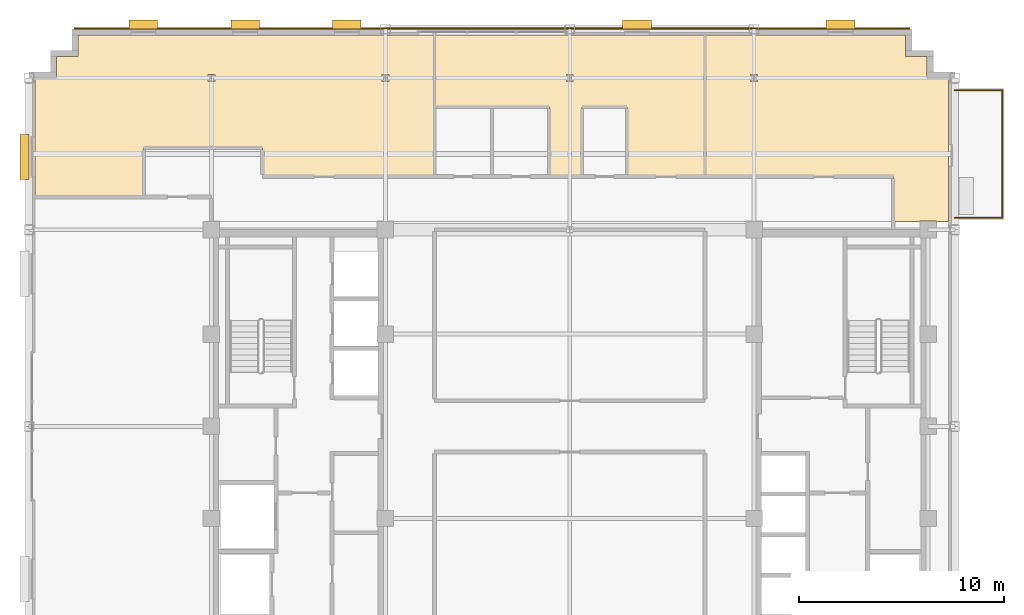
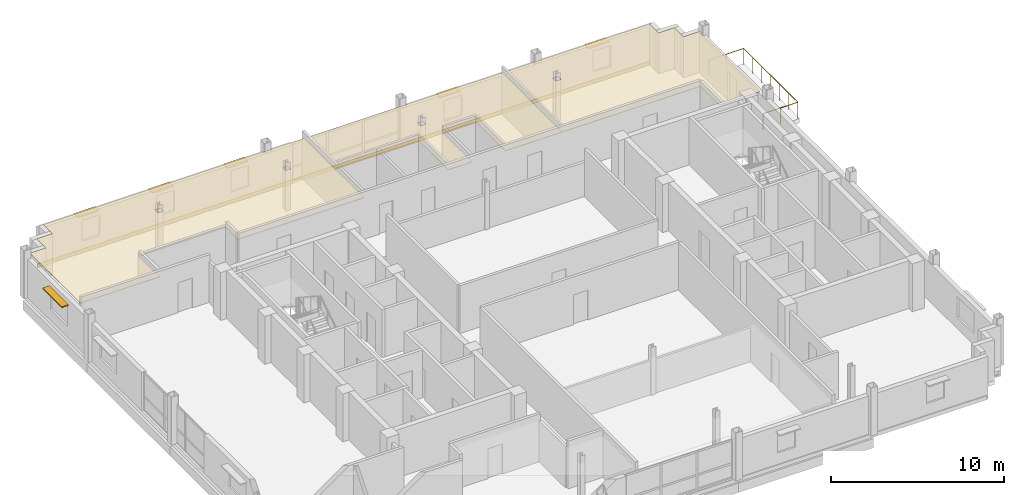
# One storey, part 16 of 16: 6 shading devices, 4 coverings, 1 railing.
"""IFC4 building model written with IfcOpenShell, lengths in metres."""

import ifcopenshell
import ifcopenshell.guid

model = None  # the IFC model being written
_history = None  # IfcOwnerHistory: only IFC2X3 demands one
_inside = {}  # id of a spatial element -> (the spatial element, [elements in it])
_under = {}  # id of a project, library or spatial element -> (it, [spatial elements below it])
_declared = {}  # id of a project -> (the project, [libraries it declares])
_typed = {}  # id of a type object -> (the type object, [elements of that type])
_made_of = {}  # id of a material, layer set ... -> (it, [elements and type objects made of it])


def new_model(schema):
    """Start an empty IFC model of exactly this schema.

    Asked for "IFC4X3", IfcOpenShell would pick the latest addendum, in which some entities
    have other attributes; the version numbers below select the first issue.
    IFC2X3 requires an IfcOwnerHistory on every rooted entity: one is made here for all.
    """
    global model, _history
    if schema == "IFC4X3":
        model = ifcopenshell.file(schema_version=(4, 3, 0, 0))
    else:
        model = ifcopenshell.file(schema=schema)
    _inside.clear()
    _under.clear()
    _declared.clear()
    _typed.clear()
    _made_of.clear()
    _history = None
    if model.schema == "IFC2X3":
        org = make("IfcOrganization", Name="unknown")
        user = make(
            "IfcPersonAndOrganization",
            ThePerson=make("IfcPerson", FamilyName="unknown"),
            TheOrganization=org,
        )
        app = make(
            "IfcApplication",
            ApplicationDeveloper=org,
            Version="unknown",
            ApplicationFullName="unknown",
            ApplicationIdentifier="unknown",
        )
        _history = make(
            "IfcOwnerHistory",
            OwningUser=user,
            OwningApplication=app,
            ChangeAction="ADDED",
            CreationDate=0,
        )
    return model


def make(cls, **values):
    """One entity of the class cls with the attributes given. An attribute that is None is left unset."""
    return model.create_entity(
        cls, **{name: value for name, value in values.items() if value is not None}
    )


def rooted(cls, **values):
    """An entity with a GlobalId (a new one), such as an element, a storey or a relation."""
    return make(cls, GlobalId=ifcopenshell.guid.new(), OwnerHistory=_history, **values)


def si_unit(unit_type, name, prefix=None):
    """IfcSIUnit, for example si_unit("LENGTHUNIT", "METRE", prefix="MILLI")."""
    return make("IfcSIUnit", UnitType=unit_type, Prefix=prefix, Name=name)


def assignment(units):
    """IfcUnitAssignment: the units of a project."""
    return None if units is None else make("IfcUnitAssignment", Units=units)


def point(xyz):
    """IfcCartesianPoint."""
    return None if xyz is None else make("IfcCartesianPoint", Coordinates=xyz)


def direction(xyz):
    """IfcDirection."""
    return None if xyz is None else make("IfcDirection", DirectionRatios=xyz)


def frame(location, z_axis=None, x_axis=None):
    """IfcAxis2Placement3D, a coordinate frame: its origin and axes. An axis left out is left unset."""
    return make(
        "IfcAxis2Placement3D",
        Location=point(location),
        Axis=direction(z_axis),
        RefDirection=direction(x_axis),
    )


def frame_2d(location, x_axis=None):
    """IfcAxis2Placement2D, a coordinate frame in the plane: its origin and x axis."""
    return make(
        "IfcAxis2Placement2D", Location=point(location), RefDirection=direction(x_axis)
    )


def origin():
    """The frame at (0, 0, 0) with its axes left unset."""
    return frame((0.0, 0.0, 0.0))


def origin_2d():
    """The frame at (0, 0) in the plane with its x axis left unset."""
    return frame_2d((0.0, 0.0))


def place(relative_to, where):
    """IfcLocalPlacement: puts the frame where relative to a parent placement (None: the world)."""
    return make(
        "IfcLocalPlacement", PlacementRelTo=relative_to, RelativePlacement=where
    )


def context(
    kind, dimensions, precision=None, world=None, true_north=None, identifier=None
):
    """IfcGeometricRepresentationContext, for example the 3D "Model" context."""
    return make(
        "IfcGeometricRepresentationContext",
        ContextIdentifier=identifier,
        ContextType=kind,
        CoordinateSpaceDimension=dimensions,
        Precision=precision,
        WorldCoordinateSystem=world,
        TrueNorth=true_north,
    )


def subcontext(parent, identifier, kind, view, scale=None):
    """IfcGeometricRepresentationSubContext, for example "Body" below "Model"."""
    return make(
        "IfcGeometricRepresentationSubContext",
        ContextIdentifier=identifier,
        ContextType=kind,
        ParentContext=parent,
        TargetScale=scale,
        TargetView=view,
    )


def project(units=None, contexts=None):
    """IfcProject with its units and contexts."""
    return rooted(
        "IfcProject",
        Name="project",
        RepresentationContexts=contexts,
        UnitsInContext=assignment(units),
    )


def spatial(cls, under=None, at=None, **own):
    """A site, building, storey or space (cls), placed at a placement, below another one or the project."""
    s = rooted(cls, ObjectPlacement=at, **own)
    if under is not None:
        _under.setdefault(under.id(), (under, []))[1].append(s)
    return s


def polyline(points):
    """IfcPolyline through the points."""
    return make("IfcPolyline", Points=[point(p) for p in points])


def profile(cls, at=None, kind="AREA", **sizes):
    """A parametric profile (cls). Its sizes go by their IFC names, for example OverallWidth=200.0."""
    return make(cls, ProfileType=kind, Position=at, **sizes)


def rectangle(**sizes):
    """IfcRectangleProfileDef."""
    return profile("IfcRectangleProfileDef", **sizes)


def circle(**sizes):
    """IfcCircleProfileDef."""
    return profile("IfcCircleProfileDef", **sizes)


def outline(outer, holes=None, kind="AREA"):
    """IfcArbitraryClosedProfileDef: a profile drawn as a closed curve; with holes, ...WithVoids."""
    if holes is None:
        return make("IfcArbitraryClosedProfileDef", ProfileType=kind, OuterCurve=outer)
    return make(
        "IfcArbitraryProfileDefWithVoids",
        ProfileType=kind,
        OuterCurve=outer,
        InnerCurves=holes,
    )


def extrude(swept, where, along, depth):
    """IfcExtrudedAreaSolid: the profile swept, set in the frame where, extruded along a direction by depth."""
    return make(
        "IfcExtrudedAreaSolid",
        SweptArea=swept,
        Position=where,
        ExtrudedDirection=direction(along),
        Depth=depth,
    )


def shape(context_of_items, identifier, shape_type, items):
    """IfcShapeRepresentation: the items that make up one representation, for example the "Body"."""
    return make(
        "IfcShapeRepresentation",
        ContextOfItems=context_of_items,
        RepresentationIdentifier=identifier,
        RepresentationType=shape_type,
        Items=items,
    )


def source(mapping_origin, context_of_items, identifier, shape_type, items):
    """IfcRepresentationMap: a shape defined once, which mapped items show again and again."""
    return make(
        "IfcRepresentationMap",
        MappingOrigin=mapping_origin,
        MappedRepresentation=shape(context_of_items, identifier, shape_type, items),
    )


def transform(
    local_origin,
    x_axis=None,
    y_axis=None,
    z_axis=None,
    scale=None,
    scale2=None,
    scale3=None,
    uniform=True,
):
    """IfcCartesianTransformationOperator3D, or its non-uniform kind. x_axis, y_axis, z_axis: its Axis1, 2, 3."""
    if uniform:
        return make(
            "IfcCartesianTransformationOperator3D",
            Axis1=direction(x_axis),
            Axis2=direction(y_axis),
            LocalOrigin=point(local_origin),
            Scale=scale,
            Axis3=direction(z_axis),
        )
    return make(
        "IfcCartesianTransformationOperator3DnonUniform",
        Axis1=direction(x_axis),
        Axis2=direction(y_axis),
        LocalOrigin=point(local_origin),
        Scale=scale,
        Axis3=direction(z_axis),
        Scale2=scale2,
        Scale3=scale3,
    )


def mapped(mapping_source, mapping_target):
    """IfcMappedItem: shows the shape of a source again, moved by a transform."""
    return make(
        "IfcMappedItem", MappingSource=mapping_source, MappingTarget=mapping_target
    )


def material(Name=None, Category=None):
    """IfcMaterial."""
    return make("IfcMaterial", Name=Name, Category=Category)


def layer(
    of_material, thickness, ventilated=None, Name=None, Category=None, Priority=None
):
    """IfcMaterialLayer: one layer of a wall or slab, of a material (None: an air gap)."""
    return make(
        "IfcMaterialLayer",
        Material=of_material,
        LayerThickness=thickness,
        IsVentilated=ventilated,
        Name=Name,
        Category=Category,
        Priority=Priority,
    )


def layer_set(layers, Name=None):
    """IfcMaterialLayerSet."""
    return make("IfcMaterialLayerSet", MaterialLayers=layers, LayerSetName=Name)


def made_of(thing, what):
    """Note that an element or type object is made of a material, layer set ...; save() writes the relation."""
    if what is not None:
        _made_of.setdefault(what.id(), (what, []))[1].append(thing)
    return thing


def type_object(cls, material=None, **own):
    """A type object (cls), such as IfcWallType, which elements share."""
    return made_of(rooted(cls, **own), material)


def type_shapes(of_type, sources):
    """Give a type object the sources (RepresentationMaps) that its elements show as mapped items."""
    of_type.RepresentationMaps = sources


def element(
    cls,
    number,
    at=None,
    inside=None,
    cuts=None,
    type_object=None,
    material=None,
    context=None,
    identifier="Body",
    shape_type=None,
    held_by="IfcProductDefinitionShape",
    body=None,
    shapes=None,
    **own,
):
    """One element of the class cls, such as IfcWall. Its Tag is "e" and its number.

    at: its placement. inside: the storey or other place that contains it. cuts: it is an
    opening in that element (IfcRelVoidsElement). A single representation is given by context,
    identifier, shape_type and body (its items); several are given by shapes. held_by: the class
    of the entity that holds the representations. save() writes the other relations.
    """
    e = rooted(cls, Tag="e%d" % number, ObjectPlacement=at, **own)
    if body is not None:
        shapes = [shape(context, identifier, shape_type, body)]
    if shapes is not None:
        e.Representation = make(held_by, Representations=shapes)
    if inside is not None:
        _inside.setdefault(inside.id(), (inside, []))[1].append(e)
    if cuts is not None:
        rooted(
            "IfcRelVoidsElement", RelatingBuildingElement=cuts, RelatedOpeningElement=e
        )
    if type_object is not None:
        _typed.setdefault(type_object.id(), (type_object, []))[1].append(e)
    return made_of(e, material)


def aggregate(whole, parts):
    """IfcRelAggregates: a whole, such as a stair, and the parts it consists of."""
    return rooted("IfcRelAggregates", RelatingObject=whole, RelatedObjects=parts)


def save(model, path):
    """Write the relations noted so far, then the file.

    IfcRelAggregates (storeys below a building ...), IfcRelContainedInSpatialStructure (elements
    in a storey), IfcRelDefinesByType, IfcRelAssociatesMaterial and IfcRelDeclares: one each for
    every whole, place, type object, material and project.
    """
    for whole, parts in _under.values():
        aggregate(whole, parts)
    for where, things in _inside.values():
        rooted(
            "IfcRelContainedInSpatialStructure",
            RelatedElements=things,
            RelatingStructure=where,
        )
    for kind, things in _typed.values():
        rooted("IfcRelDefinesByType", RelatedObjects=things, RelatingType=kind)
    for what, things in _made_of.values():
        rooted("IfcRelAssociatesMaterial", RelatedObjects=things, RelatingMaterial=what)
    for by, libraries in _declared.values():
        rooted("IfcRelDeclares", RelatingContext=by, RelatedDefinitions=libraries)
    model.write(path)


model = new_model("IFC4")

# Units and contexts
model_context = context("Model", 3, precision=1e-05, world=origin(), true_north=direction((0.0, 1.0)))
body_context = subcontext(model_context, "Body", "Model", "MODEL_VIEW")
ifc_project = project(units=[si_unit("LENGTHUNIT", "METRE"), si_unit("AREAUNIT", "SQUARE_METRE"), si_unit("VOLUMEUNIT", "CUBIC_METRE"), si_unit("PLANEANGLEUNIT", "RADIAN"), si_unit("MASSUNIT", "GRAM", prefix="KILO")], contexts=[model_context])

# Site, building, storey
site_placement = place(None, origin())
site = spatial("IfcSite", under=ifc_project, at=site_placement, CompositionType="ELEMENT")
building_placement = place(site_placement, origin())
building = spatial("IfcBuilding", under=site, at=building_placement, Name="Nuvemarco Arch Tower", CompositionType="ELEMENT")
storey_placement = place(building_placement, frame((0.0, 0.0, 227.39990234375)))
storey = spatial("IfcBuildingStorey", under=building, at=storey_placement, Name="L60", CompositionType="ELEMENT", Elevation=227.39990234375)

# Coverings
ifc_material_1 = material(Name="Mineral acoustic ceiling tile")
ifc_layer_1 = layer(ifc_material_1, 0.0400390625, Name="COV-ACOUSTIC-CLG")
ifc_layer_set_1 = layer_set([ifc_layer_1], Name="Mineral acoustic ceiling tile")
covering_type_1 = type_object("IfcCoveringType", Name="COV-ACOUSTIC-CLG", PredefinedType="CEILING", material=ifc_layer_set_1)
covering_1_placement = place(storey_placement, frame((0.0, 0.0, 2.85009765625)))
element("IfcCovering", 1, at=covering_1_placement, inside=storey, type_object=covering_type_1, Name="L60 suspended acoustic ceiling 1", PredefinedType="CEILING", context=body_context, shape_type="SweptSolid", body=[
    extrude(outline(polyline([(-20.800048828125, 11.199951171875), (-26.10009765625, 11.199951171875), (-26.10009765625, 17.0), (-25.050048828125, 17.0), (-25.050048828125, 18.050048828125), (-24.0, 18.050048828125), (-24.0, 19.10009765625), (-6.60009765625, 19.10009765625), (-6.60009765625, 15.60009765625), (-6.60009765625, 12.199951171875), (-9.0, 12.199951171875), (-15.0, 12.199951171875), (-15.0, 13.60009765625), (-20.800048828125, 13.60009765625), (-20.800048828125, 11.199951171875)]), holes=[polyline([(-17.330078125, 17.169921875), (-17.669921875, 17.169921875), (-17.669921875, 16.830078125), (-17.330078125, 16.830078125), (-17.330078125, 17.169921875)]), polyline([(-8.830078125, 17.169921875), (-9.169921875, 17.169921875), (-9.169921875, 16.830078125), (-8.830078125, 16.830078125), (-8.830078125, 17.169921875)])]), origin(), (0.0, 0.0, 1.0), 0.0400390625),
])
covering_2_placement = place(storey_placement, frame((0.0, 0.0, 2.85009765625)))
element("IfcCovering", 2, at=covering_2_placement, inside=storey, type_object=covering_type_1, Name="L60 suspended acoustic ceiling 4", PredefinedType="CEILING", context=body_context, shape_type="SweptSolid", body=[
    extrude(outline(polyline([(18.5, 17.0), (18.5, 10.0), (17.9150390625, 10.0), (17.9150390625, 10.014892578125), (17.0849609375, 10.014892578125), (17.0849609375, 10.0), (15.800048828125, 10.0), (15.800048828125, 12.199951171875), (9.0, 12.199951171875), (6.60009765625, 12.199951171875), (6.60009765625, 19.10009765625), (16.39990234375, 19.10009765625), (16.39990234375, 18.050048828125), (17.449951171875, 18.050048828125), (17.449951171875, 17.0), (18.5, 17.0)]), holes=[polyline([(9.169921875, 17.169921875), (8.830078125, 17.169921875), (8.830078125, 16.830078125), (9.169921875, 16.830078125), (9.169921875, 17.169921875)])]), origin(), (0.0, 0.0, 1.0), 0.0400390625),
])
covering_3_placement = place(storey_placement, frame((0.0, 0.0, 2.85009765625)))
element("IfcCovering", 3, at=covering_3_placement, inside=storey, type_object=covering_type_1, Name="L60 suspended acoustic ceiling 5", PredefinedType="CEILING", context=body_context, shape_type="SweptSolid", body=[
    extrude(outline(polyline([(-1.0, 12.199951171875), (-1.0, 15.60009765625), (-3.800048828125, 15.60009765625), (-6.60009765625, 15.60009765625), (-6.60009765625, 19.10009765625), (6.60009765625, 19.10009765625), (6.60009765625, 12.199951171875), (2.800048828125, 12.199951171875), (2.800048828125, 15.60009765625), (0.60009765625, 15.60009765625), (0.60009765625, 12.199951171875), (-1.0, 12.199951171875)]), holes=[polyline([(0.169921875, 16.830078125), (0.169921875, 17.169921875), (-0.169921875, 17.169921875), (-0.169921875, 16.830078125), (0.169921875, 16.830078125)])]), origin(), (0.0, 0.0, 1.0), 0.0400390625),
])

# Railing
ifc_material_2 = material(Name="Dark anodised balustrade steel S355", Category="steel")
railing_type = type_object("IfcRailingType", Name="RL-TERR-GUARD", PredefinedType="BALUSTRADE", material=ifc_material_2)
railing_placement = place(storey_placement, frame((18.800048828125, 10.179931640625, 0.0)))
element("IfcRailing", 4, at=railing_placement, inside=storey, type_object=railing_type, Name="L60 spiral terrace perimeter balustrade guard", PredefinedType="BALUSTRADE", context=body_context, shape_type="SweptSolid", body=[
    extrude(circle(Radius=0.02392578125, at=origin_2d()), frame((0.0, 0.0, 1.1259765625), z_axis=(1.0, 0.0, 0.0), x_axis=(0.0, 1.0, 0.0)), (0.0, 0.0, 1.0), 2.320068359375),
    extrude(circle(Radius=0.02392578125, at=origin_2d()), frame((2.320068359375, 0.0, 1.1259765625), z_axis=(0.0, 1.0, 0.0), x_axis=(-1.0, 0.0, 0.0)), (0.0, 0.0, 1.0), 6.239990234375),
    extrude(circle(Radius=0.02392578125, at=origin_2d()), frame((2.320068359375, 6.239990234375, 1.1259765625), z_axis=(-1.0, 0.0, 0.0), x_axis=(0.0, -1.0, 0.0)), (0.0, 0.0, 1.0), 2.320068359375),
    extrude(circle(Radius=0.02099609375, at=origin_2d()), origin(), (0.0, 0.0, 1.0), 1.101806640625),
    extrude(circle(Radius=0.02099609375, at=origin_2d()), frame((1.16015625, 0.0, 0.0)), (0.0, 0.0, 1.0), 1.101806640625),
    extrude(circle(Radius=0.02099609375, at=origin_2d()), frame((2.320068359375, 0.0, 0.0)), (0.0, 0.0, 1.0), 1.101806640625),
    extrude(circle(Radius=0.02099609375, at=origin_2d()), frame((2.320068359375, 1.0400390625, 0.0)), (0.0, 0.0, 1.0), 1.101806640625),
    extrude(circle(Radius=0.02099609375, at=origin_2d()), frame((2.320068359375, 2.080078125, 0.0)), (0.0, 0.0, 1.0), 1.101806640625),
    extrude(circle(Radius=0.02099609375, at=origin_2d()), frame((2.320068359375, 3.1201171875, 0.0)), (0.0, 0.0, 1.0), 1.101806640625),
    extrude(circle(Radius=0.02099609375, at=origin_2d()), frame((2.320068359375, 4.159912109375, 0.0)), (0.0, 0.0, 1.0), 1.101806640625),
    extrude(circle(Radius=0.02099609375, at=origin_2d()), frame((2.320068359375, 5.199951171875, 0.0)), (0.0, 0.0, 1.0), 1.101806640625),
    extrude(circle(Radius=0.02099609375, at=origin_2d()), frame((2.320068359375, 6.239990234375, 0.0)), (0.0, 0.0, 1.0), 1.101806640625),
    extrude(circle(Radius=0.02099609375, at=origin_2d()), frame((1.16015625, 6.239990234375, 0.0)), (0.0, 0.0, 1.0), 1.101806640625),
    extrude(circle(Radius=0.02099609375, at=origin_2d()), frame((0.0, 6.239990234375, 0.0)), (0.0, 0.0, 1.0), 1.101806640625),
])

# Shading devices
ifc_material_3 = material(Name="Anodised aluminium 6063-T6", Category="aluminium")
shading_device_type_1 = type_object("IfcShadingDeviceType", Name="SHD-BRISE-SOLEIL", PredefinedType="USERDEFINED", material=ifc_material_3)
shared_shape_1 = source(origin(), body_context, "Body", "SweptSolid", [
    extrude(rectangle(XDim=2.199951171875, YDim=0.449951171875, at=origin_2d()), origin(), (0.0, 0.0, 1.0), 0.080078125),
])
type_shapes(shading_device_type_1, [shared_shape_1])
shading_device_placement = place(storey_placement, frame((-26.614990234375, 13.153076171875, 2.28515625), z_axis=(0.0, 0.0, 1.0), x_axis=(0.0, 1.0, 0.0)))
element("IfcShadingDevice", 5, at=shading_device_placement, inside=storey, type_object=shading_device_type_1, Name="L60 horizontal brise-soleil sunshade", ObjectType="SUNSHADE", PredefinedType="USERDEFINED", context=body_context, shape_type="MappedRepresentation", body=[
    mapped(shared_shape_1, transform((0.0, 0.0, 0.0), scale=1.0)),
])
shading_device_type_2 = type_object("IfcShadingDeviceType", Name="SHD-BRISE-NARROW", PredefinedType="USERDEFINED", material=ifc_material_3)
shared_shape_2 = source(origin(), body_context, "Body", "SweptSolid", [
    extrude(rectangle(XDim=1.39990234375, YDim=0.449951171875, at=origin_2d()), origin(), (0.0, 0.0, 1.0), 0.080078125),
])
type_shapes(shading_device_type_2, [shared_shape_2])
for number, where, z_axis, x_axis, name in (
    (6, (-20.816650390625, 19.614990234375, 2.28515625), (0.0, 0.0, 1.0), (1.0, 0.0, 0.0), "L60 horizontal brise-soleil sunshade"),
    (7, (-15.85009765625, 19.614990234375, 2.28515625), (0.0, 0.0, 1.0), (1.0, 0.0, 0.0), "L60 horizontal brise-soleil sunshade"),
    (8, (-10.88330078125, 19.614990234375, 2.28515625), (0.0, 0.0, 1.0), (1.0, 0.0, 0.0), "L60 horizontal brise-soleil sunshade"),
    (9, (3.283203125, 19.614990234375, 2.28515625), (0.0, 0.0, 1.0), (1.0, 0.0, 0.0), "L60 horizontal brise-soleil sunshade"),
    (10, (13.216796875, 19.614990234375, 2.28515625), (0.0, 0.0, 1.0), (1.0, 0.0, 0.0), "L60 horizontal brise-soleil sunshade"),
):
    element("IfcShadingDevice", number, at=place(storey_placement, frame(where, z_axis=z_axis, x_axis=x_axis)), inside=storey, type_object=shading_device_type_2, Name=name, ObjectType="SUNSHADE", PredefinedType="USERDEFINED", context=body_context, shape_type="MappedRepresentation", body=[
        mapped(shared_shape_2, transform((0.0, 0.0, 0.0), scale=1.0)),
    ])

# Covering
ifc_material_4 = material(Name="Precast concrete C45/55", Category="concrete")
ifc_layer_2 = layer(ifc_material_4, 0.06005859375, Name="COV-SPANDREL-CLAD")
ifc_layer_set_2 = layer_set([ifc_layer_2], Name="Precast concrete C45/55")
covering_type_2 = type_object("IfcCoveringType", Name="COV-SPANDREL-CLAD", PredefinedType="CLADDING", material=ifc_layer_set_2)
shared_shape_3 = source(origin(), body_context, "Body", "SweptSolid", [
    extrude(rectangle(XDim=40.800048828125, YDim=0.06005859375, at=origin_2d()), origin(), (0.0, 0.0, 1.0), 0.280029296875),
])
type_shapes(covering_type_2, [shared_shape_3])
covering_4_placement = place(storey_placement, frame((-3.800048828125, 19.428955078125, -0.27978515625), z_axis=(0.0, 0.0, 1.0), x_axis=(1.0, 0.0, 0.0)))
element("IfcCovering", 11, at=covering_4_placement, inside=storey, type_object=covering_type_2, Name="L60 precast spandrel edge cladding north", PredefinedType="CLADDING", context=body_context, shape_type="MappedRepresentation", body=[
    mapped(shared_shape_3, transform((0.0, 0.0, 0.0), scale=1.0)),
])

save(model, "model.ifc")
